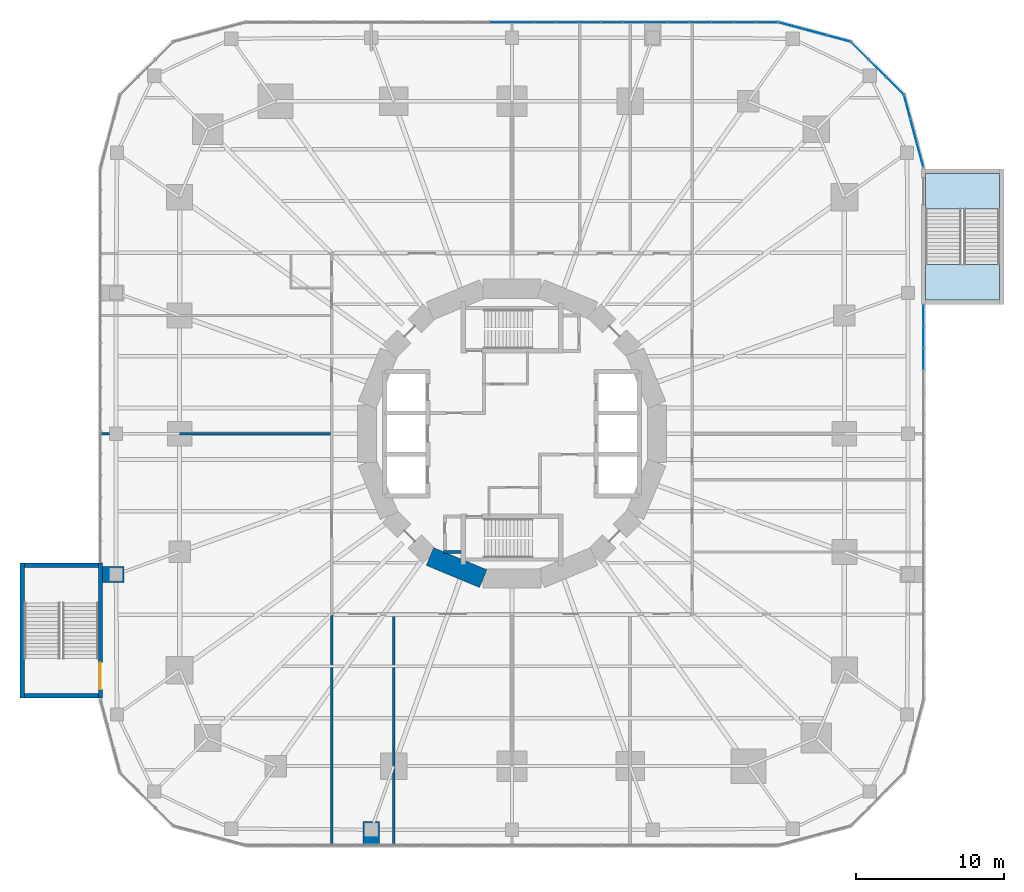
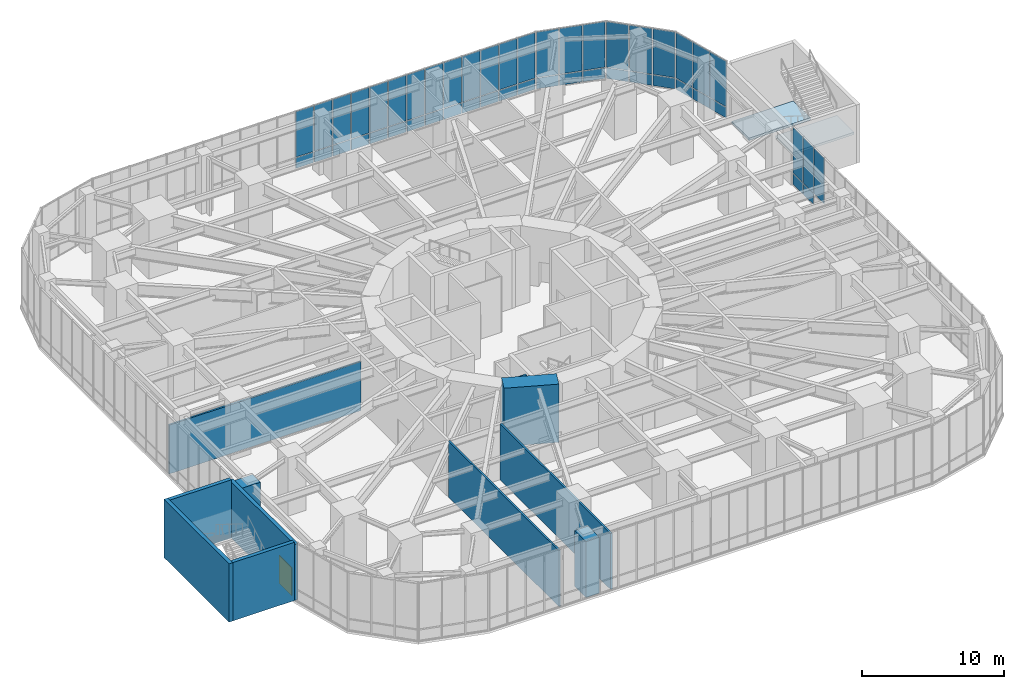
# One storey, part 19 of 24: 49 plates, 11 walls, 2 slabs, 1 door, 1 opening, 6 elements without a shape of their own.
"""IFC4 building model written with IfcOpenShell, lengths in metres."""

from ifc_helpers import new_model, si_unit, direction, frame, frame_2d, origin, origin_2d, place, context, subcontext, project, spatial, polyline, rectangle, outline, extrude, material, layer, layer_set, type_object, element, fill, aggregate, save


model = new_model("IFC4")

# Units and contexts
model_context = context("Model", 3, precision=1e-05, world=origin(), true_north=direction((0.0, 1.0)))
body_context = subcontext(model_context, "Body", "Model", "MODEL_VIEW")
ifc_project = project(units=[si_unit("LENGTHUNIT", "METRE"), si_unit("AREAUNIT", "SQUARE_METRE"), si_unit("VOLUMEUNIT", "CUBIC_METRE"), si_unit("PLANEANGLEUNIT", "RADIAN"), si_unit("MASSUNIT", "GRAM", prefix="KILO")], contexts=[model_context])

# Site, building, storey
site_placement = place(None, origin())
site = spatial("IfcSite", under=ifc_project, at=site_placement, CompositionType="ELEMENT")
building_placement = place(site_placement, origin())
building = spatial("IfcBuilding", under=site, at=building_placement, Name="Nakasero Lantern House", CompositionType="ELEMENT")
storey_placement = place(building_placement, frame((0.0, 0.0, 6.0)))
storey = spatial("IfcBuildingStorey", under=building, at=storey_placement, Name="L01", CompositionType="ELEMENT", Elevation=6.0)

# Curtain wall, plates
ifc_material_1 = material(Name="Aluminium 6063-T6 and glass", Category="aluminium")
curtain_wall_type = type_object("IfcCurtainWallType", Name="Podium curtain wall CW-2", PredefinedType="USERDEFINED", material=ifc_material_1)
curtain_wall_1_placement = place(storey_placement, origin())
curtain_wall_1 = element("IfcCurtainWall", 1, at=curtain_wall_1_placement, inside=storey, type_object=curtain_wall_type, Name="Curtain wall CW-2 L01", ObjectType="STICK CURTAIN WALL", PredefinedType="USERDEFINED")
ifc_material_2 = material(Name="Glass", Category="glass")
ifc_layer_1 = layer(ifc_material_2, 0.028076171875)
ifc_layer_set_1 = layer_set([ifc_layer_1], Name="Glazed panel CW-2")
plate_type = type_object("IfcPlateType", Name="Glazed panel CW-2", PredefinedType="CURTAIN_PANEL", material=ifc_layer_set_1)
plate_1_placement = place(storey_placement, frame((27.85009765625, 5.03466796875, 1.0302734375), z_axis=(0.0, 0.0, 1.0), x_axis=(0.0, 1.0, 0.0)))
plate_1 = element("IfcPlate", 2, at=plate_1_placement, type_object=plate_type, Name="CW-2 panel 16.2", PredefinedType="CURTAIN_PANEL", context=body_context, shape_type="SweptSolid", body=[
    extrude(rectangle(XDim=1.426025390625, YDim=0.028076171875, at=origin_2d()), origin(), (0.0, 0.0, 1.0), 3.909912109375),
])
plate_2_placement = place(storey_placement, frame((27.85009765625, 6.520751953125, 0.06005859375), z_axis=(0.0, 0.0, 1.0), x_axis=(0.0, 1.0, 0.0)))
plate_2 = element("IfcPlate", 3, at=plate_2_placement, type_object=plate_type, Name="CW-2 panel 17.1", PredefinedType="CURTAIN_PANEL", context=body_context, shape_type="SweptSolid", body=[
    extrude(rectangle(XDim=1.426025390625, YDim=0.028076171875, at=origin_2d()), origin(), (0.0, 0.0, 1.0), 0.909912109375),
])
plate_3_placement = place(storey_placement, frame((27.85009765625, 6.520751953125, 1.0302734375), z_axis=(0.0, 0.0, 1.0), x_axis=(0.0, 1.0, 0.0)))
plate_3 = element("IfcPlate", 4, at=plate_3_placement, type_object=plate_type, Name="CW-2 panel 17.2", PredefinedType="CURTAIN_PANEL", context=body_context, shape_type="SweptSolid", body=[
    extrude(rectangle(XDim=1.426025390625, YDim=0.028076171875, at=origin_2d()), origin(), (0.0, 0.0, 1.0), 3.909912109375),
])
plate_4_placement = place(storey_placement, frame((27.85009765625, 7.991943359375, 0.06005859375), z_axis=(0.0, 0.0, 1.0), x_axis=(0.0, 1.0, 0.0)))
plate_4 = element("IfcPlate", 5, at=plate_4_placement, type_object=plate_type, Name="CW-2 panel 18.1", PredefinedType="CURTAIN_PANEL", context=body_context, shape_type="SweptSolid", body=[
    extrude(rectangle(XDim=1.39599609375, YDim=0.028076171875, at=origin_2d()), origin(), (0.0, 0.0, 1.0), 0.909912109375),
])
plate_5_placement = place(storey_placement, frame((27.85009765625, 7.991943359375, 1.0302734375), z_axis=(0.0, 0.0, 1.0), x_axis=(0.0, 1.0, 0.0)))
plate_5 = element("IfcPlate", 6, at=plate_5_placement, type_object=plate_type, Name="CW-2 panel 18.2", PredefinedType="CURTAIN_PANEL", context=body_context, shape_type="SweptSolid", body=[
    extrude(rectangle(XDim=1.39599609375, YDim=0.028076171875, at=origin_2d()), origin(), (0.0, 0.0, 1.0), 3.909912109375),
])
aggregate(curtain_wall_1, [plate_1, plate_2, plate_3, plate_4, plate_5])

curtain_wall_2_placement = place(storey_placement, origin())
curtain_wall_2 = element("IfcCurtainWall", 7, at=curtain_wall_2_placement, inside=storey, type_object=curtain_wall_type, Name="Curtain wall CW-2 L01", ObjectType="STICK CURTAIN WALL", PredefinedType="USERDEFINED")
plate_6_placement = place(storey_placement, frame((27.626220703125, 18.835205078125, 0.06005859375), z_axis=(0.0, 0.0, 1.0), x_axis=(-0.258819045153, 0.965925826276, 0.0)))
plate_6 = element("IfcPlate", 8, at=plate_6_placement, type_object=plate_type, Name="CW-2 panel 1.1", PredefinedType="CURTAIN_PANEL", context=body_context, shape_type="SweptSolid", body=[
    extrude(rectangle(XDim=1.609619140625, YDim=0.028076171875, at=origin_2d()), origin(), (0.0, 0.0, 1.0), 0.909912109375),
])
plate_7_placement = place(storey_placement, frame((27.626220703125, 18.835205078125, 1.0302734375), z_axis=(0.0, 0.0, 1.0), x_axis=(-0.258819045153, 0.965925826276, 0.0)))
plate_7 = element("IfcPlate", 9, at=plate_7_placement, type_object=plate_type, Name="CW-2 panel 1.2", PredefinedType="CURTAIN_PANEL", context=body_context, shape_type="SweptSolid", body=[
    extrude(rectangle(XDim=1.609619140625, YDim=0.028076171875, at=origin_2d()), origin(), (0.0, 0.0, 1.0), 3.909912109375),
])
plate_8_placement = place(storey_placement, frame((27.190185546875, 20.46240234375, 0.06005859375), z_axis=(0.0, 0.0, 1.0), x_axis=(-0.258819045153, 0.965925826276, 0.0)))
plate_8 = element("IfcPlate", 10, at=plate_8_placement, type_object=plate_type, Name="CW-2 panel 2.1", PredefinedType="CURTAIN_PANEL", context=body_context, shape_type="SweptSolid", body=[
    extrude(rectangle(XDim=1.6396484375, YDim=0.028076171875, at=origin_2d()), origin(), (0.0, 0.0, 1.0), 0.909912109375),
])
plate_9_placement = place(storey_placement, frame((27.190185546875, 20.46240234375, 1.0302734375), z_axis=(0.0, 0.0, 1.0), x_axis=(-0.258819045153, 0.965925826276, 0.0)))
plate_9 = element("IfcPlate", 11, at=plate_9_placement, type_object=plate_type, Name="CW-2 panel 2.2", PredefinedType="CURTAIN_PANEL", context=body_context, shape_type="SweptSolid", body=[
    extrude(rectangle(XDim=1.6396484375, YDim=0.028076171875, at=origin_2d()), origin(), (0.0, 0.0, 1.0), 3.909912109375),
])
plate_10_placement = place(storey_placement, frame((26.754150390625, 22.089599609375, 0.06005859375), z_axis=(0.0, 0.0, 1.0), x_axis=(-0.258819045153, 0.965925826276, 0.0)))
plate_10 = element("IfcPlate", 12, at=plate_10_placement, type_object=plate_type, Name="CW-2 panel 3.1", PredefinedType="CURTAIN_PANEL", context=body_context, shape_type="SweptSolid", body=[
    extrude(rectangle(XDim=1.609619140625, YDim=0.028076171875, at=origin_2d()), origin(), (0.0, 0.0, 1.0), 0.909912109375),
])
plate_11_placement = place(storey_placement, frame((26.754150390625, 22.089599609375, 1.0302734375), z_axis=(0.0, 0.0, 1.0), x_axis=(-0.258819045153, 0.965925826276, 0.0)))
plate_11 = element("IfcPlate", 13, at=plate_11_placement, type_object=plate_type, Name="CW-2 panel 3.2", PredefinedType="CURTAIN_PANEL", context=body_context, shape_type="SweptSolid", body=[
    extrude(rectangle(XDim=1.609619140625, YDim=0.028076171875, at=origin_2d()), origin(), (0.0, 0.0, 1.0), 3.909912109375),
])
aggregate(curtain_wall_2, [plate_6, plate_7, plate_8, plate_9, plate_10, plate_11])

curtain_wall_3_placement = place(storey_placement, origin())
curtain_wall_3 = element("IfcCurtainWall", 14, at=curtain_wall_3_placement, inside=storey, type_object=curtain_wall_type, Name="Curtain wall CW-2 L01", ObjectType="STICK CURTAIN WALL", PredefinedType="USERDEFINED")
plate_12_placement = place(storey_placement, frame((25.9189453125, 23.536376953125, 0.06005859375), z_axis=(0.0, 0.0, 1.0), x_axis=(-0.707106781187, 0.707106781187, 0.0)))
plate_12 = element("IfcPlate", 15, at=plate_12_placement, type_object=plate_type, Name="CW-2 panel 1.1", PredefinedType="CURTAIN_PANEL", context=body_context, shape_type="SweptSolid", body=[
    extrude(rectangle(XDim=1.609619140625, YDim=0.028076171875, at=origin_2d()), origin(), (0.0, 0.0, 1.0), 0.909912109375),
])
plate_13_placement = place(storey_placement, frame((25.9189453125, 23.536376953125, 1.0302734375), z_axis=(0.0, 0.0, 1.0), x_axis=(-0.707106781187, 0.707106781187, 0.0)))
plate_13 = element("IfcPlate", 16, at=plate_13_placement, type_object=plate_type, Name="CW-2 panel 1.2", PredefinedType="CURTAIN_PANEL", context=body_context, shape_type="SweptSolid", body=[
    extrude(rectangle(XDim=1.609619140625, YDim=0.028076171875, at=origin_2d()), origin(), (0.0, 0.0, 1.0), 3.909912109375),
])
plate_14_placement = place(storey_placement, frame((24.727783203125, 24.727783203125, 0.06005859375), z_axis=(0.0, 0.0, 1.0), x_axis=(-0.707106781187, 0.707106781187, 0.0)))
plate_14 = element("IfcPlate", 17, at=plate_14_placement, type_object=plate_type, Name="CW-2 panel 2.1", PredefinedType="CURTAIN_PANEL", context=body_context, shape_type="SweptSolid", body=[
    extrude(rectangle(XDim=1.6396484375, YDim=0.028076171875, at=origin_2d()), origin(), (0.0, 0.0, 1.0), 0.909912109375),
])
plate_15_placement = place(storey_placement, frame((24.727783203125, 24.727783203125, 1.0302734375), z_axis=(0.0, 0.0, 1.0), x_axis=(-0.707106781187, 0.707106781187, 0.0)))
plate_15 = element("IfcPlate", 18, at=plate_15_placement, type_object=plate_type, Name="CW-2 panel 2.2", PredefinedType="CURTAIN_PANEL", context=body_context, shape_type="SweptSolid", body=[
    extrude(rectangle(XDim=1.6396484375, YDim=0.028076171875, at=origin_2d()), origin(), (0.0, 0.0, 1.0), 3.909912109375),
])
plate_16_placement = place(storey_placement, frame((23.536376953125, 25.9189453125, 0.06005859375), z_axis=(0.0, 0.0, 1.0), x_axis=(-0.707106781187, 0.707106781187, 0.0)))
plate_16 = element("IfcPlate", 19, at=plate_16_placement, type_object=plate_type, Name="CW-2 panel 3.1", PredefinedType="CURTAIN_PANEL", context=body_context, shape_type="SweptSolid", body=[
    extrude(rectangle(XDim=1.609619140625, YDim=0.028076171875, at=origin_2d()), origin(), (0.0, 0.0, 1.0), 0.909912109375),
])
plate_17_placement = place(storey_placement, frame((23.536376953125, 25.9189453125, 1.0302734375), z_axis=(0.0, 0.0, 1.0), x_axis=(-0.707106781187, 0.707106781187, 0.0)))
plate_17 = element("IfcPlate", 20, at=plate_17_placement, type_object=plate_type, Name="CW-2 panel 3.2", PredefinedType="CURTAIN_PANEL", context=body_context, shape_type="SweptSolid", body=[
    extrude(rectangle(XDim=1.609619140625, YDim=0.028076171875, at=origin_2d()), origin(), (0.0, 0.0, 1.0), 3.909912109375),
])
aggregate(curtain_wall_3, [plate_12, plate_13, plate_14, plate_15, plate_16, plate_17])

curtain_wall_4_placement = place(storey_placement, origin())
curtain_wall_4 = element("IfcCurtainWall", 21, at=curtain_wall_4_placement, inside=storey, type_object=curtain_wall_type, Name="Curtain wall CW-2 L01", ObjectType="STICK CURTAIN WALL", PredefinedType="USERDEFINED")
plate_18_placement = place(storey_placement, frame((22.089599609375, 26.754150390625, 0.06005859375), z_axis=(0.0, 0.0, 1.0), x_axis=(-0.965925826276, 0.258819045153, 0.0)))
plate_18 = element("IfcPlate", 22, at=plate_18_placement, type_object=plate_type, Name="CW-2 panel 1.1", PredefinedType="CURTAIN_PANEL", context=body_context, shape_type="SweptSolid", body=[
    extrude(rectangle(XDim=1.609619140625, YDim=0.028076171875, at=origin_2d()), origin(), (0.0, 0.0, 1.0), 0.909912109375),
])
plate_19_placement = place(storey_placement, frame((22.089599609375, 26.754150390625, 1.0302734375), z_axis=(0.0, 0.0, 1.0), x_axis=(-0.965925826276, 0.258819045153, 0.0)))
plate_19 = element("IfcPlate", 23, at=plate_19_placement, type_object=plate_type, Name="CW-2 panel 1.2", PredefinedType="CURTAIN_PANEL", context=body_context, shape_type="SweptSolid", body=[
    extrude(rectangle(XDim=1.609619140625, YDim=0.028076171875, at=origin_2d()), origin(), (0.0, 0.0, 1.0), 3.909912109375),
])
plate_20_placement = place(storey_placement, frame((20.46240234375, 27.190185546875, 0.06005859375), z_axis=(0.0, 0.0, 1.0), x_axis=(-0.965925826276, 0.258819045153, 0.0)))
plate_20 = element("IfcPlate", 24, at=plate_20_placement, type_object=plate_type, Name="CW-2 panel 2.1", PredefinedType="CURTAIN_PANEL", context=body_context, shape_type="SweptSolid", body=[
    extrude(rectangle(XDim=1.6396484375, YDim=0.028076171875, at=origin_2d()), origin(), (0.0, 0.0, 1.0), 0.909912109375),
])
plate_21_placement = place(storey_placement, frame((20.46240234375, 27.190185546875, 1.0302734375), z_axis=(0.0, 0.0, 1.0), x_axis=(-0.965925826276, 0.258819045153, 0.0)))
plate_21 = element("IfcPlate", 25, at=plate_21_placement, type_object=plate_type, Name="CW-2 panel 2.2", PredefinedType="CURTAIN_PANEL", context=body_context, shape_type="SweptSolid", body=[
    extrude(rectangle(XDim=1.6396484375, YDim=0.028076171875, at=origin_2d()), origin(), (0.0, 0.0, 1.0), 3.909912109375),
])
plate_22_placement = place(storey_placement, frame((18.835205078125, 27.626220703125, 0.06005859375), z_axis=(0.0, 0.0, 1.0), x_axis=(-0.965925826276, 0.258819045153, 0.0)))
plate_22 = element("IfcPlate", 26, at=plate_22_placement, type_object=plate_type, Name="CW-2 panel 3.1", PredefinedType="CURTAIN_PANEL", context=body_context, shape_type="SweptSolid", body=[
    extrude(rectangle(XDim=1.609619140625, YDim=0.028076171875, at=origin_2d()), origin(), (0.0, 0.0, 1.0), 0.909912109375),
])
plate_23_placement = place(storey_placement, frame((18.835205078125, 27.626220703125, 1.0302734375), z_axis=(0.0, 0.0, 1.0), x_axis=(-0.965925826276, 0.258819045153, 0.0)))
plate_23 = element("IfcPlate", 27, at=plate_23_placement, type_object=plate_type, Name="CW-2 panel 3.2", PredefinedType="CURTAIN_PANEL", context=body_context, shape_type="SweptSolid", body=[
    extrude(rectangle(XDim=1.609619140625, YDim=0.028076171875, at=origin_2d()), origin(), (0.0, 0.0, 1.0), 3.909912109375),
])
aggregate(curtain_wall_4, [plate_18, plate_19, plate_20, plate_21, plate_22, plate_23])

curtain_wall_5_placement = place(storey_placement, origin())
curtain_wall_5 = element("IfcCurtainWall", 28, at=curtain_wall_5_placement, inside=storey, type_object=curtain_wall_type, Name="Curtain wall CW-2 L01", ObjectType="STICK CURTAIN WALL", PredefinedType="USERDEFINED")
plate_24_placement = place(storey_placement, frame((17.235107421875, 27.85009765625, 0.06005859375), z_axis=(0.0, 0.0, 1.0), x_axis=(-1.0, 0.0, 0.0)))
plate_24 = element("IfcPlate", 29, at=plate_24_placement, type_object=plate_type, Name="CW-2 panel 1.1", PredefinedType="CURTAIN_PANEL", context=body_context, shape_type="SweptSolid", body=[
    extrude(rectangle(XDim=1.409912109375, YDim=0.028076171875, at=origin_2d()), origin(), (0.0, 0.0, 1.0), 0.909912109375),
])
plate_25_placement = place(storey_placement, frame((17.235107421875, 27.85009765625, 1.0302734375), z_axis=(0.0, 0.0, 1.0), x_axis=(-1.0, 0.0, 0.0)))
plate_25 = element("IfcPlate", 30, at=plate_25_placement, type_object=plate_type, Name="CW-2 panel 1.2", PredefinedType="CURTAIN_PANEL", context=body_context, shape_type="SweptSolid", body=[
    extrude(rectangle(XDim=1.409912109375, YDim=0.028076171875, at=origin_2d()), origin(), (0.0, 0.0, 1.0), 3.909912109375),
])
plate_26_placement = place(storey_placement, frame((15.75, 27.85009765625, 0.06005859375), z_axis=(0.0, 0.0, 1.0), x_axis=(-1.0, 0.0, 0.0)))
plate_26 = element("IfcPlate", 31, at=plate_26_placement, type_object=plate_type, Name="CW-2 panel 2.1", PredefinedType="CURTAIN_PANEL", context=body_context, shape_type="SweptSolid", body=[
    extrude(rectangle(XDim=1.43994140625, YDim=0.028076171875, at=origin_2d()), origin(), (0.0, 0.0, 1.0), 0.909912109375),
])
plate_27_placement = place(storey_placement, frame((15.75, 27.85009765625, 1.0302734375), z_axis=(0.0, 0.0, 1.0), x_axis=(-1.0, 0.0, 0.0)))
plate_27 = element("IfcPlate", 32, at=plate_27_placement, type_object=plate_type, Name="CW-2 panel 2.2", PredefinedType="CURTAIN_PANEL", context=body_context, shape_type="SweptSolid", body=[
    extrude(rectangle(XDim=1.43994140625, YDim=0.028076171875, at=origin_2d()), origin(), (0.0, 0.0, 1.0), 3.909912109375),
])
plate_28_placement = place(storey_placement, frame((14.25, 27.85009765625, 0.06005859375), z_axis=(0.0, 0.0, 1.0), x_axis=(-1.0, 0.0, 0.0)))
plate_28 = element("IfcPlate", 33, at=plate_28_placement, type_object=plate_type, Name="CW-2 panel 3.1", PredefinedType="CURTAIN_PANEL", context=body_context, shape_type="SweptSolid", body=[
    extrude(rectangle(XDim=1.43994140625, YDim=0.028076171875, at=origin_2d()), origin(), (0.0, 0.0, 1.0), 0.909912109375),
])
plate_29_placement = place(storey_placement, frame((14.25, 27.85009765625, 1.0302734375), z_axis=(0.0, 0.0, 1.0), x_axis=(-1.0, 0.0, 0.0)))
plate_29 = element("IfcPlate", 34, at=plate_29_placement, type_object=plate_type, Name="CW-2 panel 3.2", PredefinedType="CURTAIN_PANEL", context=body_context, shape_type="SweptSolid", body=[
    extrude(rectangle(XDim=1.43994140625, YDim=0.028076171875, at=origin_2d()), origin(), (0.0, 0.0, 1.0), 3.909912109375),
])
plate_30_placement = place(storey_placement, frame((12.75, 27.85009765625, 0.06005859375), z_axis=(0.0, 0.0, 1.0), x_axis=(-1.0, 0.0, 0.0)))
plate_30 = element("IfcPlate", 35, at=plate_30_placement, type_object=plate_type, Name="CW-2 panel 4.1", PredefinedType="CURTAIN_PANEL", context=body_context, shape_type="SweptSolid", body=[
    extrude(rectangle(XDim=1.43994140625, YDim=0.028076171875, at=origin_2d()), origin(), (0.0, 0.0, 1.0), 0.909912109375),
])
plate_31_placement = place(storey_placement, frame((12.75, 27.85009765625, 1.0302734375), z_axis=(0.0, 0.0, 1.0), x_axis=(-1.0, 0.0, 0.0)))
plate_31 = element("IfcPlate", 36, at=plate_31_placement, type_object=plate_type, Name="CW-2 panel 4.2", PredefinedType="CURTAIN_PANEL", context=body_context, shape_type="SweptSolid", body=[
    extrude(rectangle(XDim=1.43994140625, YDim=0.028076171875, at=origin_2d()), origin(), (0.0, 0.0, 1.0), 3.909912109375),
])
plate_32_placement = place(storey_placement, frame((11.25, 27.85009765625, 0.06005859375), z_axis=(0.0, 0.0, 1.0), x_axis=(-1.0, 0.0, 0.0)))
plate_32 = element("IfcPlate", 37, at=plate_32_placement, type_object=plate_type, Name="CW-2 panel 5.1", PredefinedType="CURTAIN_PANEL", context=body_context, shape_type="SweptSolid", body=[
    extrude(rectangle(XDim=1.43994140625, YDim=0.028076171875, at=origin_2d()), origin(), (0.0, 0.0, 1.0), 0.909912109375),
])
plate_33_placement = place(storey_placement, frame((11.25, 27.85009765625, 1.0302734375), z_axis=(0.0, 0.0, 1.0), x_axis=(-1.0, 0.0, 0.0)))
plate_33 = element("IfcPlate", 38, at=plate_33_placement, type_object=plate_type, Name="CW-2 panel 5.2", PredefinedType="CURTAIN_PANEL", context=body_context, shape_type="SweptSolid", body=[
    extrude(rectangle(XDim=1.43994140625, YDim=0.028076171875, at=origin_2d()), origin(), (0.0, 0.0, 1.0), 3.909912109375),
])
plate_34_placement = place(storey_placement, frame((9.75, 27.85009765625, 0.06005859375), z_axis=(0.0, 0.0, 1.0), x_axis=(-1.0, 0.0, 0.0)))
plate_34 = element("IfcPlate", 39, at=plate_34_placement, type_object=plate_type, Name="CW-2 panel 6.1", PredefinedType="CURTAIN_PANEL", context=body_context, shape_type="SweptSolid", body=[
    extrude(rectangle(XDim=1.43994140625, YDim=0.028076171875, at=origin_2d()), origin(), (0.0, 0.0, 1.0), 0.909912109375),
])
plate_35_placement = place(storey_placement, frame((9.75, 27.85009765625, 1.0302734375), z_axis=(0.0, 0.0, 1.0), x_axis=(-1.0, 0.0, 0.0)))
plate_35 = element("IfcPlate", 40, at=plate_35_placement, type_object=plate_type, Name="CW-2 panel 6.2", PredefinedType="CURTAIN_PANEL", context=body_context, shape_type="SweptSolid", body=[
    extrude(rectangle(XDim=1.43994140625, YDim=0.028076171875, at=origin_2d()), origin(), (0.0, 0.0, 1.0), 3.909912109375),
])
plate_36_placement = place(storey_placement, frame((8.25, 27.85009765625, 0.06005859375), z_axis=(0.0, 0.0, 1.0), x_axis=(-1.0, 0.0, 0.0)))
plate_36 = element("IfcPlate", 41, at=plate_36_placement, type_object=plate_type, Name="CW-2 panel 7.1", PredefinedType="CURTAIN_PANEL", context=body_context, shape_type="SweptSolid", body=[
    extrude(rectangle(XDim=1.43994140625, YDim=0.028076171875, at=origin_2d()), origin(), (0.0, 0.0, 1.0), 0.909912109375),
])
plate_37_placement = place(storey_placement, frame((8.25, 27.85009765625, 1.0302734375), z_axis=(0.0, 0.0, 1.0), x_axis=(-1.0, 0.0, 0.0)))
plate_37 = element("IfcPlate", 42, at=plate_37_placement, type_object=plate_type, Name="CW-2 panel 7.2", PredefinedType="CURTAIN_PANEL", context=body_context, shape_type="SweptSolid", body=[
    extrude(rectangle(XDim=1.43994140625, YDim=0.028076171875, at=origin_2d()), origin(), (0.0, 0.0, 1.0), 3.909912109375),
])
plate_38_placement = place(storey_placement, frame((6.75, 27.85009765625, 0.06005859375), z_axis=(0.0, 0.0, 1.0), x_axis=(-1.0, 0.0, 0.0)))
plate_38 = element("IfcPlate", 43, at=plate_38_placement, type_object=plate_type, Name="CW-2 panel 8.1", PredefinedType="CURTAIN_PANEL", context=body_context, shape_type="SweptSolid", body=[
    extrude(rectangle(XDim=1.43994140625, YDim=0.028076171875, at=origin_2d()), origin(), (0.0, 0.0, 1.0), 0.909912109375),
])
plate_39_placement = place(storey_placement, frame((6.75, 27.85009765625, 1.0302734375), z_axis=(0.0, 0.0, 1.0), x_axis=(-1.0, 0.0, 0.0)))
plate_39 = element("IfcPlate", 44, at=plate_39_placement, type_object=plate_type, Name="CW-2 panel 8.2", PredefinedType="CURTAIN_PANEL", context=body_context, shape_type="SweptSolid", body=[
    extrude(rectangle(XDim=1.43994140625, YDim=0.028076171875, at=origin_2d()), origin(), (0.0, 0.0, 1.0), 3.909912109375),
])
plate_40_placement = place(storey_placement, frame((5.25, 27.85009765625, 0.06005859375), z_axis=(0.0, 0.0, 1.0), x_axis=(-1.0, 0.0, 0.0)))
plate_40 = element("IfcPlate", 45, at=plate_40_placement, type_object=plate_type, Name="CW-2 panel 9.1", PredefinedType="CURTAIN_PANEL", context=body_context, shape_type="SweptSolid", body=[
    extrude(rectangle(XDim=1.43994140625, YDim=0.028076171875, at=origin_2d()), origin(), (0.0, 0.0, 1.0), 0.909912109375),
])
plate_41_placement = place(storey_placement, frame((5.25, 27.85009765625, 1.0302734375), z_axis=(0.0, 0.0, 1.0), x_axis=(-1.0, 0.0, 0.0)))
plate_41 = element("IfcPlate", 46, at=plate_41_placement, type_object=plate_type, Name="CW-2 panel 9.2", PredefinedType="CURTAIN_PANEL", context=body_context, shape_type="SweptSolid", body=[
    extrude(rectangle(XDim=1.43994140625, YDim=0.028076171875, at=origin_2d()), origin(), (0.0, 0.0, 1.0), 3.909912109375),
])
plate_42_placement = place(storey_placement, frame((3.75, 27.85009765625, 0.06005859375), z_axis=(0.0, 0.0, 1.0), x_axis=(-1.0, 0.0, 0.0)))
plate_42 = element("IfcPlate", 47, at=plate_42_placement, type_object=plate_type, Name="CW-2 panel 10.1", PredefinedType="CURTAIN_PANEL", context=body_context, shape_type="SweptSolid", body=[
    extrude(rectangle(XDim=1.43994140625, YDim=0.028076171875, at=origin_2d()), origin(), (0.0, 0.0, 1.0), 0.909912109375),
])
plate_43_placement = place(storey_placement, frame((3.75, 27.85009765625, 1.0302734375), z_axis=(0.0, 0.0, 1.0), x_axis=(-1.0, 0.0, 0.0)))
plate_43 = element("IfcPlate", 48, at=plate_43_placement, type_object=plate_type, Name="CW-2 panel 10.2", PredefinedType="CURTAIN_PANEL", context=body_context, shape_type="SweptSolid", body=[
    extrude(rectangle(XDim=1.43994140625, YDim=0.028076171875, at=origin_2d()), origin(), (0.0, 0.0, 1.0), 3.909912109375),
])
plate_44_placement = place(storey_placement, frame((2.25, 27.85009765625, 0.06005859375), z_axis=(0.0, 0.0, 1.0), x_axis=(-1.0, 0.0, 0.0)))
plate_44 = element("IfcPlate", 49, at=plate_44_placement, type_object=plate_type, Name="CW-2 panel 11.1", PredefinedType="CURTAIN_PANEL", context=body_context, shape_type="SweptSolid", body=[
    extrude(rectangle(XDim=1.43994140625, YDim=0.028076171875, at=origin_2d()), origin(), (0.0, 0.0, 1.0), 0.909912109375),
])
plate_45_placement = place(storey_placement, frame((2.25, 27.85009765625, 1.0302734375), z_axis=(0.0, 0.0, 1.0), x_axis=(-1.0, 0.0, 0.0)))
plate_45 = element("IfcPlate", 50, at=plate_45_placement, type_object=plate_type, Name="CW-2 panel 11.2", PredefinedType="CURTAIN_PANEL", context=body_context, shape_type="SweptSolid", body=[
    extrude(rectangle(XDim=1.43994140625, YDim=0.028076171875, at=origin_2d()), origin(), (0.0, 0.0, 1.0), 3.909912109375),
])
plate_46_placement = place(storey_placement, frame((0.75, 27.85009765625, 0.06005859375), z_axis=(0.0, 0.0, 1.0), x_axis=(-1.0, 0.0, 0.0)))
plate_46 = element("IfcPlate", 51, at=plate_46_placement, type_object=plate_type, Name="CW-2 panel 12.1", PredefinedType="CURTAIN_PANEL", context=body_context, shape_type="SweptSolid", body=[
    extrude(rectangle(XDim=1.43994140625, YDim=0.028076171875, at=origin_2d()), origin(), (0.0, 0.0, 1.0), 0.909912109375),
])
plate_47_placement = place(storey_placement, frame((0.75, 27.85009765625, 1.0302734375), z_axis=(0.0, 0.0, 1.0), x_axis=(-1.0, 0.0, 0.0)))
plate_47 = element("IfcPlate", 52, at=plate_47_placement, type_object=plate_type, Name="CW-2 panel 12.2", PredefinedType="CURTAIN_PANEL", context=body_context, shape_type="SweptSolid", body=[
    extrude(rectangle(XDim=1.43994140625, YDim=0.028076171875, at=origin_2d()), origin(), (0.0, 0.0, 1.0), 3.909912109375),
])
plate_48_placement = place(storey_placement, frame((-0.75, 27.85009765625, 0.06005859375), z_axis=(0.0, 0.0, 1.0), x_axis=(-1.0, 0.0, 0.0)))
plate_48 = element("IfcPlate", 53, at=plate_48_placement, type_object=plate_type, Name="CW-2 panel 13.1", PredefinedType="CURTAIN_PANEL", context=body_context, shape_type="SweptSolid", body=[
    extrude(rectangle(XDim=1.43994140625, YDim=0.028076171875, at=origin_2d()), origin(), (0.0, 0.0, 1.0), 0.909912109375),
])
plate_49_placement = place(storey_placement, frame((-0.75, 27.85009765625, 1.0302734375), z_axis=(0.0, 0.0, 1.0), x_axis=(-1.0, 0.0, 0.0)))
plate_49 = element("IfcPlate", 54, at=plate_49_placement, type_object=plate_type, Name="CW-2 panel 13.2", PredefinedType="CURTAIN_PANEL", context=body_context, shape_type="SweptSolid", body=[
    extrude(rectangle(XDim=1.43994140625, YDim=0.028076171875, at=origin_2d()), origin(), (0.0, 0.0, 1.0), 3.909912109375),
])
aggregate(curtain_wall_5, [plate_24, plate_25, plate_26, plate_27, plate_28, plate_29, plate_30, plate_31, plate_32, plate_33, plate_34, plate_35, plate_36, plate_37, plate_38, plate_39, plate_40, plate_41, plate_42, plate_43, plate_44, plate_45, plate_46, plate_47, plate_48, plate_49])

# Stair, slabs
ifc_material_3 = material(Name="Concrete C40/50", Category="concrete")
stair_type = type_object("IfcStairType", Name="Escape stair PS1 32 risers 156", PredefinedType="HALF_TURN_STAIR", material=ifc_material_3)
stair_placement = place(storey_placement, origin())
stair = element("IfcStair", 55, at=stair_placement, inside=storey, type_object=stair_type, Name="Escape stair PS1 L01", PredefinedType="HALF_TURN_STAIR")
ifc_material_4 = material(Name="Concrete C40/50", Category="concrete")
ifc_layer_2 = layer(ifc_material_4, 0.199951171875)
ifc_layer_set_2 = layer_set([ifc_layer_2], Name="Stair landing 200")
slab_type = type_object("IfcSlabType", Name="Stair landing 200", PredefinedType="LANDING", material=ifc_layer_set_2)
slab_1_placement = place(storey_placement, frame((0.0, 0.0, -0.199951171875)))
slab_1 = element("IfcSlab", 56, at=slab_1_placement, type_object=slab_type, Name="PS1 landing 1", PredefinedType="LANDING", context=body_context, shape_type="SweptSolid", body=[
    extrude(outline(polyline([(28.0, 15.199951171875), (33.0, 15.199951171875), (33.0, 17.60009765625), (28.0, 17.60009765625), (28.0, 15.199951171875)])), origin(), (0.0, 0.0, 1.0), 0.199951171875),
])
slab_2_placement = place(storey_placement, frame((0.0, 0.0, 2.300048828125)))
slab_2 = element("IfcSlab", 57, at=slab_2_placement, type_object=slab_type, Name="PS1 landing 2", PredefinedType="LANDING", context=body_context, shape_type="SweptSolid", body=[
    extrude(outline(polyline([(28.0, 9.050048828125), (33.0, 9.050048828125), (33.0, 11.449951171875), (28.0, 11.449951171875), (28.0, 9.050048828125)])), origin(), (0.0, 0.0, 1.0), 0.199951171875),
])
aggregate(stair, [slab_1, slab_2])

# Walls
ifc_material_5 = material(Name="Blockwork", Category="masonry")
ifc_layer_3 = layer(ifc_material_5, 1.10009765625)
ifc_layer_set_3 = layer_set([ifc_layer_3], Name="Column pier 1100")
wall_type_1 = type_object("IfcWallType", Name="Column pier 1100", PredefinedType="PARTITIONING", material=ifc_layer_set_3)
wall_1_placement = place(storey_placement, frame((-26.25, -9.52880859375, 0.0), z_axis=(0.0, 0.0, 1.0), x_axis=(-1.0, 0.0, 0.0)))
element("IfcWall", 58, at=wall_1_placement, inside=storey, type_object=wall_type_1, Name="Column pier L01 PN2-02-4", PredefinedType="PARTITIONING", context=body_context, shape_type="SweptSolid", body=[
    extrude(rectangle(XDim=1.449951171875, YDim=1.10009765625, at=frame_2d((0.72509765625, 0.0))), origin(), (0.0, 0.0, 1.0), 4.800048828125),
])
wall_2_placement = place(storey_placement, frame((-9.52880859375, -26.25, 0.0), z_axis=(0.0, 0.0, 1.0), x_axis=(0.0, -1.0, 0.0)))
element("IfcWall", 59, at=wall_2_placement, inside=storey, type_object=wall_type_1, Name="Column pier L01 PN3-00-2", PredefinedType="PARTITIONING", context=body_context, shape_type="SweptSolid", body=[
    extrude(rectangle(XDim=1.60009765625, YDim=1.10009765625, at=frame_2d((0.800048828125, 0.0))), origin(), (0.0, 0.0, 1.0), 4.800048828125),
])
ifc_material_6 = material(Name="Concrete C50/60", Category="concrete")
ifc_layer_4 = layer(ifc_material_6, 1.300048828125)
ifc_layer_set_4 = layer_set([ifc_layer_4], Name="Core wall 1300")
wall_type_2 = type_object("IfcWallType", Name="Core wall 1300", PredefinedType="SHEAR", material=ifc_layer_set_4)
wall_3_placement = place(storey_placement, frame((-5.5556640625, -8.314697265625, 0.0), z_axis=(0.0, 0.0, 1.0), x_axis=(0.923876507187, -0.382690736062, 0.0)))
element("IfcWall", 60, at=wall_3_placement, inside=storey, type_object=wall_type_2, Name="Core wall L01 facet 11", PredefinedType="SHEAR", context=body_context, shape_type="SweptSolid", body=[
    extrude(rectangle(XDim=3.90185546875, YDim=1.300048828125, at=frame_2d((1.950927734375, 0.0))), origin(), (0.0, 0.0, 1.0), 5.0),
])
ifc_material_7 = material(Name="Blockwork", Category="masonry")
ifc_layer_5 = layer(ifc_material_7, 0.199951171875)
ifc_layer_set_5 = layer_set([ifc_layer_5], Name="Fire lobby wall 200")
wall_type_3 = type_object("IfcWallType", Name="Fire lobby wall 200", PredefinedType="PARTITIONING", material=ifc_layer_set_5)
wall_4_placement = place(storey_placement, frame((-3.449951171875, -8.0, 0.0), z_axis=(0.0, 0.0, 1.0), x_axis=(-1.0, 0.0, 0.0)))
element("IfcWall", 61, at=wall_4_placement, inside=storey, type_object=wall_type_3, Name="Fire lobby wall L01 W-RS2S", PredefinedType="PARTITIONING", context=body_context, shape_type="SweptSolid", body=[
    extrude(rectangle(XDim=1.199951171875, YDim=0.199951171875, at=frame_2d((0.60009765625, 0.0))), origin(), (0.0, 0.0, 1.0), 4.800048828125),
])
ifc_material_8 = material(Name="Blockwork", Category="masonry")
ifc_layer_6 = layer(ifc_material_8, 0.14990234375)
ifc_layer_set_6 = layer_set([ifc_layer_6], Name="Party wall 150")
wall_type_4 = type_object("IfcWallType", Name="Party wall 150", PredefinedType="PARTITIONING", material=ifc_layer_set_6)
wall_5_placement = place(storey_placement, frame((-12.300048828125, 0.0, 0.0), z_axis=(0.0, 0.0, 1.0), x_axis=(-1.0, 0.0, 0.0)))
element("IfcWall", 62, at=wall_5_placement, inside=storey, type_object=wall_type_4, Name="Party wall L01 PW2-02", PredefinedType="PARTITIONING", context=body_context, shape_type="SweptSolid", body=[
    extrude(rectangle(XDim=15.550048828125, YDim=0.14990234375, at=frame_2d((7.77490234375, 0.0))), origin(), (0.0, 0.0, 1.0), 4.197509765625),
])
for number, where, z_axis, x_axis, name in (
    (63, (-12.199951171875, -12.300048828125, 0.0), (0.0, 0.0, 1.0), (0.0, -1.0, 0.0), "Party wall L01 PW3-00"),
    (64, (-8.0, -12.300048828125, 0.0), (0.0, 0.0, 1.0), (0.0, -1.0, 0.0), "Party wall L01 PW3-01"),
):
    element("IfcWall", number, at=place(storey_placement, frame(where, z_axis=z_axis, x_axis=x_axis)), inside=storey, type_object=wall_type_4, Name=name, PredefinedType="PARTITIONING", context=body_context, shape_type="SweptSolid", body=[
        extrude(rectangle(XDim=15.550048828125, YDim=0.14990234375, at=frame_2d((7.77490234375, 0.0))), origin(), (0.0, 0.0, 1.0), 4.800048828125),
    ])

# Wall, opening, door
ifc_material_9 = material(Name="Concrete C32/40", Category="concrete")
ifc_layer_7 = layer(ifc_material_9, 0.300048828125)
ifc_layer_set_7 = layer_set([ifc_layer_7], Name="Stair enclosure wall 300")
wall_type_5 = type_object("IfcWallType", Name="Stair enclosure wall 300", PredefinedType="SOLIDWALL", material=ifc_layer_set_7)
wall_6_placement = place(storey_placement, frame((-27.85009765625, -8.75, 0.0), z_axis=(0.0, 0.0, 1.0), x_axis=(0.0, -1.0, 0.0)))
wall_6 = element("IfcWall", 65, at=wall_6_placement, inside=storey, type_object=wall_type_5, Name="Stair enclosure wall PS2 L01", PredefinedType="SOLIDWALL", context=body_context, shape_type="SweptSolid", body=[
    extrude(rectangle(XDim=9.14990234375, YDim=0.300048828125, at=frame_2d((4.574951171875, 0.0))), origin(), (0.0, 0.0, 1.0), 4.800048828125),
])
opening_placement = place(wall_6_placement, frame((6.75, 0.0, 0.0)))
opening = element("IfcOpeningElement", 66, at=opening_placement, cuts=wall_6, Name="Opening DS1", PredefinedType="OPENING", context=body_context, shape_type="SweptSolid", body=[
    extrude(rectangle(XDim=1.800048828125, YDim=2.39990234375, at=frame_2d((0.89990234375, 1.199951171875))), frame((0.0, 0.169921875, 0.0), z_axis=(0.0, -1.0, 0.0), x_axis=(1.0, 0.0, 0.0)), (0.0, 0.0, 1.0), 0.340087890625),
])
ifc_material_10 = material(Name="Steel S355", Category="steel")
door_type = type_object("IfcDoorType", Name="Stair doors FD60S 1800", OperationType="DOUBLE_DOOR_SINGLE_SWING", PredefinedType="DOOR", material=ifc_material_10)
door_placement = place(opening_placement, origin())
door = element("IfcDoor", 67, at=door_placement, inside=storey, type_object=door_type, Name="Stair doors PS2 L01", OperationType="DOUBLE_DOOR_SINGLE_SWING", OverallHeight=2.39990234375, OverallWidth=1.800048828125, PredefinedType="DOOR", context=body_context, shape_type="SweptSolid", body=[
    extrude(rectangle(XDim=1.800048828125, YDim=2.39990234375, at=frame_2d((0.89990234375, 1.199951171875))), frame((0.0, 0.02490234375, 0.0), z_axis=(0.0, -1.0, 0.0), x_axis=(1.0, 0.0, 0.0)), (0.0, 0.0, 1.0), 0.050048828125),
])
fill(opening, door)

# Walls
ifc_material_11 = material(Name="Concrete C32/40", Category="concrete")
ifc_layer_8 = layer(ifc_material_11, 0.300048828125)
ifc_layer_set_8 = layer_set([ifc_layer_8], Name="Stair tower wall 300")
wall_type_6 = type_object("IfcWallType", Name="Stair tower wall 300", PredefinedType="SOLIDWALL", material=ifc_layer_set_8)
wall_7_placement = place(storey_placement, frame((-33.14990234375, -8.75, 0.0), z_axis=(0.0, 0.0, 1.0), x_axis=(0.0, -1.0, 0.0)))
element("IfcWall", 68, at=wall_7_placement, inside=storey, type_object=wall_type_6, Name="Escape stair tower wall PS2 L01 O", PredefinedType="SOLIDWALL", context=body_context, shape_type="SweptSolid", body=[
    extrude(rectangle(XDim=9.14990234375, YDim=0.300048828125, at=frame_2d((4.574951171875, 0.0))), origin(), (0.0, 0.0, 1.0), 5.0),
])
for number, where, z_axis, x_axis, name in (
    (69, (-28.0, -8.89990234375, 0.0), (0.0, 0.0, 1.0), (-1.0, 0.0, 0.0), "Escape stair tower wall PS2 L01 S"),
    (70, (-28.0, -17.75, 0.0), (0.0, 0.0, 1.0), (-1.0, 0.0, 0.0), "Escape stair tower wall PS2 L01 N"),
):
    element("IfcWall", number, at=place(storey_placement, frame(where, z_axis=z_axis, x_axis=x_axis)), inside=storey, type_object=wall_type_6, Name=name, PredefinedType="SOLIDWALL", context=body_context, shape_type="SweptSolid", body=[
        extrude(rectangle(XDim=5.0, YDim=0.300048828125, at=frame_2d((2.5, 0.0))), origin(), (0.0, 0.0, 1.0), 5.0),
    ])

save(model, "model.ifc")
